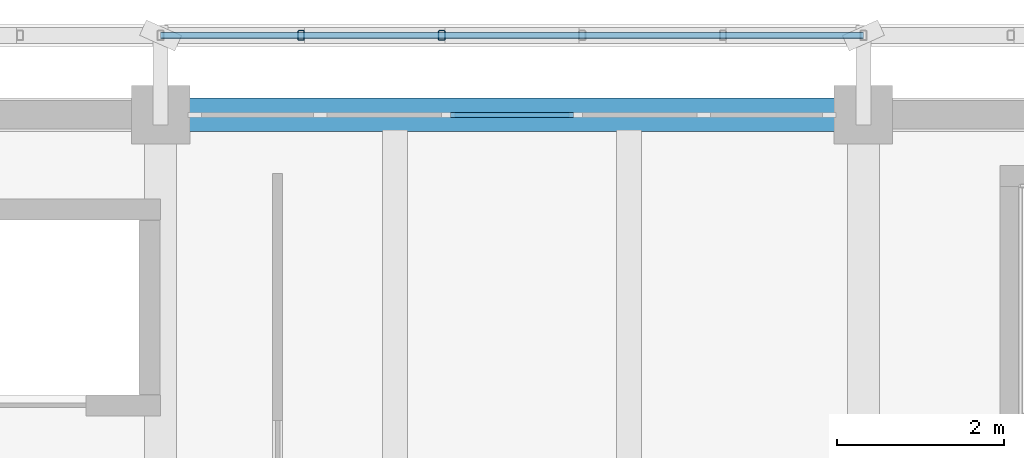
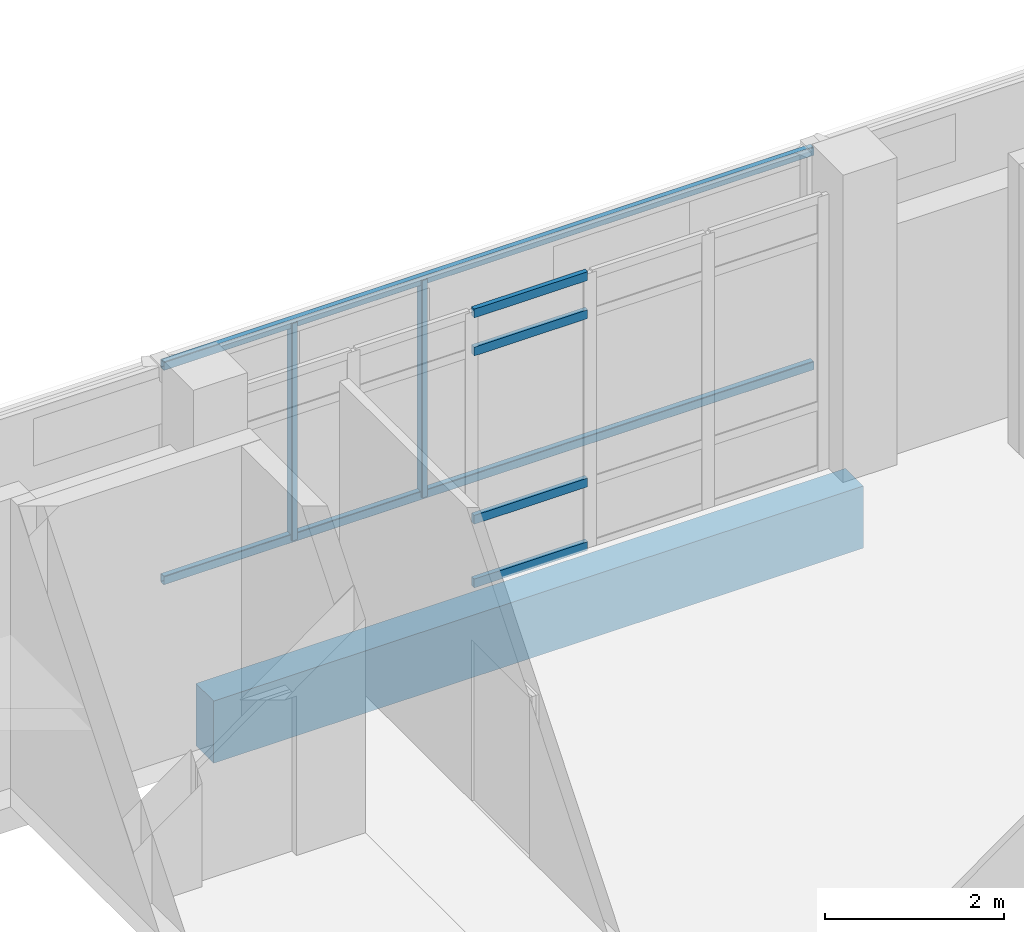
# One storey, part 53 of 137: 8 members, 1 beam, 1 element without a shape of its own.
"""IFC4 building model written with IfcOpenShell, lengths in metres."""

from ifc_helpers import new_model, si_unit, direction, frame, origin, origin_2d, place, context, subcontext, project, spatial, rectangle, hollow_rectangle, extrude, material, material_profile, profile_set, type_object, element, aggregate, save


model = new_model("IFC4")

# Units and contexts
model_context = context("Model", 3, precision=1e-05, world=origin(), true_north=direction((0.0, 1.0)))
body_context = subcontext(model_context, "Body", "Model", "MODEL_VIEW")
ifc_project = project(units=[si_unit("LENGTHUNIT", "METRE"), si_unit("AREAUNIT", "SQUARE_METRE"), si_unit("VOLUMEUNIT", "CUBIC_METRE"), si_unit("PLANEANGLEUNIT", "RADIAN"), si_unit("MASSUNIT", "GRAM", prefix="KILO")], contexts=[model_context])

# Site, building, storey
site_placement = place(None, origin())
site = spatial("IfcSite", under=ifc_project, at=site_placement, CompositionType="ELEMENT")
building_placement = place(site_placement, origin())
building = spatial("IfcBuilding", under=site, at=building_placement, Name="Cinderway Yard Community Centre", CompositionType="ELEMENT")
storey_placement = place(building_placement, frame((0.0, 0.0, 4.800048828125)))
storey = spatial("IfcBuildingStorey", under=building, at=storey_placement, Name="L01", CompositionType="ELEMENT", Elevation=4.800048828125)

# Curtain wall, members
ifc_material_1 = material(Name="Aluminium 6063-T6", Category="aluminium")
curtain_wall_type = type_object("IfcCurtainWallType", Name="ENV-CW-TYPE-26", PredefinedType="USERDEFINED", material=ifc_material_1)
curtain_wall_placement = place(storey_placement, origin())
curtain_wall = element("IfcCurtainWall", 1, at=curtain_wall_placement, inside=storey, type_object=curtain_wall_type, Name="V4 Street Curtain Wall ENV-CW-L01-ST-0126", ObjectType="GLAZED CURTAIN WALL", PredefinedType="USERDEFINED")
ifc_material_profile_1 = material_profile(ifc_material_1, rectangle(XDim=0.06005859375, YDim=0.1201171875, at=origin_2d()), Name="Aluminium 6063-T6")
ifc_profile_set_1 = profile_set([ifc_material_profile_1], Name="Aluminium 6063-T6")
member_type_1 = type_object("IfcMemberType", Name="ENV-CW-TRAN-110", PredefinedType="USERDEFINED", material=ifc_profile_set_1)
member_1_placement = place(storey_placement, frame((70.26611328125, 115.199951171875, 0.030029296875), z_axis=(1.0, 0.0, 0.0), x_axis=(0.0, 1.0, 0.0)))
member_1 = element("IfcMember", 2, at=member_1_placement, type_object=member_type_1, Name="CW-26 transom 3.1", ObjectType="TRANSOM", PredefinedType="USERDEFINED", context=body_context, shape_type="SweptSolid", body=[
    extrude(rectangle(XDim=0.06005859375, YDim=0.1201171875, at=origin_2d()), origin(), (0.0, 0.0, 1.0), 1.4677734375),
])
member_2_placement = place(storey_placement, frame((70.26611328125, 115.199951171875, 0.89990234375), z_axis=(1.0, 0.0, 0.0), x_axis=(0.0, 1.0, 0.0)))
member_2 = element("IfcMember", 3, at=member_2_placement, type_object=member_type_1, Name="CW-26 transom 3.2", ObjectType="TRANSOM", PredefinedType="USERDEFINED", context=body_context, shape_type="SweptSolid", body=[
    extrude(rectangle(XDim=0.06005859375, YDim=0.1201171875, at=origin_2d()), origin(), (0.0, 0.0, 1.0), 1.4677734375),
])
member_3_placement = place(storey_placement, frame((70.26611328125, 115.199951171875, 3.199951171875), z_axis=(1.0, 0.0, 0.0), x_axis=(0.0, 1.0, 0.0)))
member_3 = element("IfcMember", 4, at=member_3_placement, type_object=member_type_1, Name="CW-26 transom 3.3", ObjectType="TRANSOM", PredefinedType="USERDEFINED", context=body_context, shape_type="SweptSolid", body=[
    extrude(rectangle(XDim=0.06005859375, YDim=0.1201171875, at=origin_2d()), origin(), (0.0, 0.0, 1.0), 1.4677734375),
])
member_4_placement = place(storey_placement, frame((70.26611328125, 115.199951171875, 3.719970703125), z_axis=(1.0, 0.0, 0.0), x_axis=(0.0, 1.0, 0.0)))
member_4 = element("IfcMember", 5, at=member_4_placement, type_object=member_type_1, Name="CW-26 transom 3.4", ObjectType="TRANSOM", PredefinedType="USERDEFINED", context=body_context, shape_type="SweptSolid", body=[
    extrude(rectangle(XDim=0.06005859375, YDim=0.1201171875, at=origin_2d()), origin(), (0.0, 0.0, 1.0), 1.4677734375),
])
aggregate(curtain_wall, [member_1, member_2, member_3, member_4])

# Members
ifc_material_2 = material(Name="Steel S355", Category="steel")
ifc_material_profile_2 = material_profile(ifc_material_2, hollow_rectangle(XDim=0.080078125, YDim=0.1201171875, WallThickness=0.00634765625, InnerFilletRadius=0.00634765625, OuterFilletRadius=0.0126953125, at=origin_2d()), Name="Steel S355")
ifc_profile_set_2 = profile_set([ifc_material_profile_2], Name="Steel S355")
member_type_2 = type_object("IfcMemberType", Name="ENV-MEM-SCREEN-RAIL-120", PredefinedType="STRINGER", material=ifc_profile_set_2)
for number, where, z_axis, x_axis, name in (
    (6, (66.800048828125, 116.14990234375, 0.7099609375), (1.0, 0.0, 0.0), (0.0, 1.0, 0.0), "Screen support rail 0026-BOT"),
    (7, (66.800048828125, 116.14990234375, 3.639892578125), (1.0, 0.0, 0.0), (0.0, 1.0, 0.0), "Screen support rail 0027-TOP"),
):
    element("IfcMember", number, at=place(storey_placement, frame(where, z_axis=z_axis, x_axis=x_axis)), inside=storey, type_object=member_type_2, Name=name, PredefinedType="STRINGER", context=body_context, shape_type="SweptSolid", body=[
        extrude(hollow_rectangle(XDim=0.080078125, YDim=0.1201171875, WallThickness=0.00634765625, InnerFilletRadius=0.00634765625, OuterFilletRadius=0.0126953125, at=origin_2d()), origin(), (0.0, 0.0, 1.0), 8.39990234375),
    ])
for number, where, z_axis, x_axis, name in (
    (8, (68.47998046875, 116.14990234375, 0.68994140625), (0.0, 0.0, 1.0), (1.0, 0.0, 0.0), "Screen vertical mullion 0028"),
    (9, (70.159912109375, 116.14990234375, 0.68994140625), (0.0, 0.0, 1.0), (1.0, 0.0, 0.0), "Screen vertical mullion 0029"),
):
    element("IfcMember", number, at=place(storey_placement, frame(where, z_axis=z_axis, x_axis=x_axis)), inside=storey, type_object=member_type_2, Name=name, PredefinedType="STRINGER", context=body_context, shape_type="SweptSolid", body=[
        extrude(hollow_rectangle(XDim=0.080078125, YDim=0.1201171875, WallThickness=0.00634765625, InnerFilletRadius=0.00634765625, OuterFilletRadius=0.0126953125, at=origin_2d()), origin(), (0.0, 0.0, 1.0), 2.969970703125),
    ])

# Beam
ifc_material_3 = material(Name="Concrete C40/50", Category="concrete")
ifc_material_profile_3 = material_profile(ifc_material_3, rectangle(XDim=0.39990234375, YDim=0.85009765625, at=origin_2d()), Name="Concrete C40/50")
ifc_profile_set_3 = profile_set([ifc_material_profile_3], Name="Concrete C40/50")
beam_type = type_object("IfcBeamType", Name="STR-BM-RC400X850", PredefinedType="BEAM", material=ifc_profile_set_3)
beam_placement = place(storey_placement, frame((66.800048828125, 115.199951171875, -0.68505859375), z_axis=(1.0, 0.0, 0.0), x_axis=(0.0, 1.0, 0.0)))
element("IfcBeam", 10, at=beam_placement, inside=storey, type_object=beam_type, Name="Primary girder STR-BM-L01-BG04-0211", PredefinedType="BEAM", context=body_context, shape_type="SweptSolid", body=[
    extrude(rectangle(XDim=0.39990234375, YDim=0.85009765625, at=origin_2d()), origin(), (0.0, 0.0, 1.0), 8.39990234375),
])

save(model, "model.ifc")
